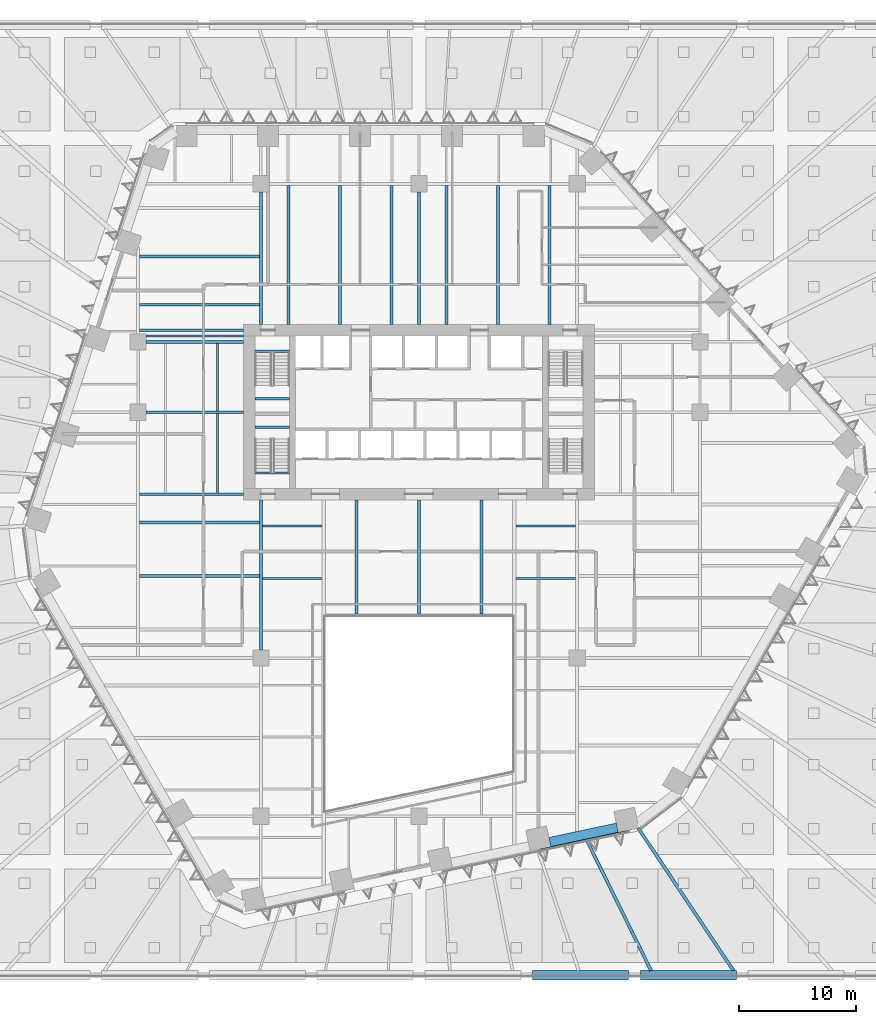
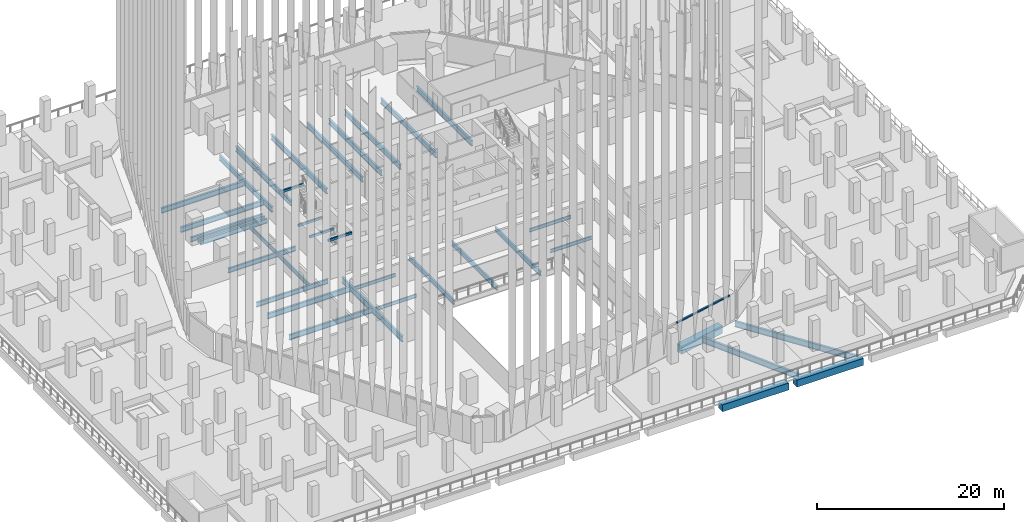
# One storey, part 9 of 51: 36 beams, 1 member, 1 element without a shape of its own.
"""IFC4 building model written with IfcOpenShell, lengths in metres."""

import ifcopenshell
import ifcopenshell.guid

model = None  # the IFC model being written
_history = None  # IfcOwnerHistory: only IFC2X3 demands one
_inside = {}  # id of a spatial element -> (the spatial element, [elements in it])
_under = {}  # id of a project, library or spatial element -> (it, [spatial elements below it])
_declared = {}  # id of a project -> (the project, [libraries it declares])
_typed = {}  # id of a type object -> (the type object, [elements of that type])
_made_of = {}  # id of a material, layer set ... -> (it, [elements and type objects made of it])


def new_model(schema):
    """Start an empty IFC model of exactly this schema.

    Asked for "IFC4X3", IfcOpenShell would pick the latest addendum, in which some entities
    have other attributes; the version numbers below select the first issue.
    IFC2X3 requires an IfcOwnerHistory on every rooted entity: one is made here for all.
    """
    global model, _history
    if schema == "IFC4X3":
        model = ifcopenshell.file(schema_version=(4, 3, 0, 0))
    else:
        model = ifcopenshell.file(schema=schema)
    _inside.clear()
    _under.clear()
    _declared.clear()
    _typed.clear()
    _made_of.clear()
    _history = None
    if model.schema == "IFC2X3":
        org = make("IfcOrganization", Name="unknown")
        user = make(
            "IfcPersonAndOrganization",
            ThePerson=make("IfcPerson", FamilyName="unknown"),
            TheOrganization=org,
        )
        app = make(
            "IfcApplication",
            ApplicationDeveloper=org,
            Version="unknown",
            ApplicationFullName="unknown",
            ApplicationIdentifier="unknown",
        )
        _history = make(
            "IfcOwnerHistory",
            OwningUser=user,
            OwningApplication=app,
            ChangeAction="ADDED",
            CreationDate=0,
        )
    return model


def make(cls, **values):
    """One entity of the class cls with the attributes given. An attribute that is None is left unset."""
    return model.create_entity(
        cls, **{name: value for name, value in values.items() if value is not None}
    )


def rooted(cls, **values):
    """An entity with a GlobalId (a new one), such as an element, a storey or a relation."""
    return make(cls, GlobalId=ifcopenshell.guid.new(), OwnerHistory=_history, **values)


def si_unit(unit_type, name, prefix=None):
    """IfcSIUnit, for example si_unit("LENGTHUNIT", "METRE", prefix="MILLI")."""
    return make("IfcSIUnit", UnitType=unit_type, Prefix=prefix, Name=name)


def assignment(units):
    """IfcUnitAssignment: the units of a project."""
    return None if units is None else make("IfcUnitAssignment", Units=units)


def point(xyz):
    """IfcCartesianPoint."""
    return None if xyz is None else make("IfcCartesianPoint", Coordinates=xyz)


def direction(xyz):
    """IfcDirection."""
    return None if xyz is None else make("IfcDirection", DirectionRatios=xyz)


def frame(location, z_axis=None, x_axis=None):
    """IfcAxis2Placement3D, a coordinate frame: its origin and axes. An axis left out is left unset."""
    return make(
        "IfcAxis2Placement3D",
        Location=point(location),
        Axis=direction(z_axis),
        RefDirection=direction(x_axis),
    )


def frame_2d(location, x_axis=None):
    """IfcAxis2Placement2D, a coordinate frame in the plane: its origin and x axis."""
    return make(
        "IfcAxis2Placement2D", Location=point(location), RefDirection=direction(x_axis)
    )


def origin():
    """The frame at (0, 0, 0) with its axes left unset."""
    return frame((0.0, 0.0, 0.0))


def origin_2d():
    """The frame at (0, 0) in the plane with its x axis left unset."""
    return frame_2d((0.0, 0.0))


def place(relative_to, where):
    """IfcLocalPlacement: puts the frame where relative to a parent placement (None: the world)."""
    return make(
        "IfcLocalPlacement", PlacementRelTo=relative_to, RelativePlacement=where
    )


def context(
    kind, dimensions, precision=None, world=None, true_north=None, identifier=None
):
    """IfcGeometricRepresentationContext, for example the 3D "Model" context."""
    return make(
        "IfcGeometricRepresentationContext",
        ContextIdentifier=identifier,
        ContextType=kind,
        CoordinateSpaceDimension=dimensions,
        Precision=precision,
        WorldCoordinateSystem=world,
        TrueNorth=true_north,
    )


def subcontext(parent, identifier, kind, view, scale=None):
    """IfcGeometricRepresentationSubContext, for example "Body" below "Model"."""
    return make(
        "IfcGeometricRepresentationSubContext",
        ContextIdentifier=identifier,
        ContextType=kind,
        ParentContext=parent,
        TargetScale=scale,
        TargetView=view,
    )


def project(units=None, contexts=None):
    """IfcProject with its units and contexts."""
    return rooted(
        "IfcProject",
        Name="project",
        RepresentationContexts=contexts,
        UnitsInContext=assignment(units),
    )


def spatial(cls, under=None, at=None, **own):
    """A site, building, storey or space (cls), placed at a placement, below another one or the project."""
    s = rooted(cls, ObjectPlacement=at, **own)
    if under is not None:
        _under.setdefault(under.id(), (under, []))[1].append(s)
    return s


def profile(cls, at=None, kind="AREA", **sizes):
    """A parametric profile (cls). Its sizes go by their IFC names, for example OverallWidth=200.0."""
    return make(cls, ProfileType=kind, Position=at, **sizes)


def rectangle(**sizes):
    """IfcRectangleProfileDef."""
    return profile("IfcRectangleProfileDef", **sizes)


def i_section(**sizes):
    """IfcIShapeProfileDef."""
    return profile("IfcIShapeProfileDef", **sizes)


def extrude(swept, where, along, depth):
    """IfcExtrudedAreaSolid: the profile swept, set in the frame where, extruded along a direction by depth."""
    return make(
        "IfcExtrudedAreaSolid",
        SweptArea=swept,
        Position=where,
        ExtrudedDirection=direction(along),
        Depth=depth,
    )


def shape(context_of_items, identifier, shape_type, items):
    """IfcShapeRepresentation: the items that make up one representation, for example the "Body"."""
    return make(
        "IfcShapeRepresentation",
        ContextOfItems=context_of_items,
        RepresentationIdentifier=identifier,
        RepresentationType=shape_type,
        Items=items,
    )


def material(Name=None, Category=None):
    """IfcMaterial."""
    return make("IfcMaterial", Name=Name, Category=Category)


def layer(
    of_material, thickness, ventilated=None, Name=None, Category=None, Priority=None
):
    """IfcMaterialLayer: one layer of a wall or slab, of a material (None: an air gap)."""
    return make(
        "IfcMaterialLayer",
        Material=of_material,
        LayerThickness=thickness,
        IsVentilated=ventilated,
        Name=Name,
        Category=Category,
        Priority=Priority,
    )


def layer_set(layers, Name=None):
    """IfcMaterialLayerSet."""
    return make("IfcMaterialLayerSet", MaterialLayers=layers, LayerSetName=Name)


def material_profile(
    of_material, cross_section, Name=None, Category=None, Priority=None
):
    """IfcMaterialProfile: a cross section and its material."""
    return make(
        "IfcMaterialProfile",
        Name=Name,
        Material=of_material,
        Profile=cross_section,
        Priority=Priority,
        Category=Category,
    )


def profile_set(profiles, Name=None, composite=None):
    """IfcMaterialProfileSet."""
    return make(
        "IfcMaterialProfileSet",
        Name=Name,
        MaterialProfiles=profiles,
        CompositeProfile=composite,
    )


def made_of(thing, what):
    """Note that an element or type object is made of a material, layer set ...; save() writes the relation."""
    if what is not None:
        _made_of.setdefault(what.id(), (what, []))[1].append(thing)
    return thing


def type_object(cls, material=None, **own):
    """A type object (cls), such as IfcWallType, which elements share."""
    return made_of(rooted(cls, **own), material)


def element(
    cls,
    number,
    at=None,
    inside=None,
    cuts=None,
    type_object=None,
    material=None,
    context=None,
    identifier="Body",
    shape_type=None,
    held_by="IfcProductDefinitionShape",
    body=None,
    shapes=None,
    **own,
):
    """One element of the class cls, such as IfcWall. Its Tag is "e" and its number.

    at: its placement. inside: the storey or other place that contains it. cuts: it is an
    opening in that element (IfcRelVoidsElement). A single representation is given by context,
    identifier, shape_type and body (its items); several are given by shapes. held_by: the class
    of the entity that holds the representations. save() writes the other relations.
    """
    e = rooted(cls, Tag="e%d" % number, ObjectPlacement=at, **own)
    if body is not None:
        shapes = [shape(context, identifier, shape_type, body)]
    if shapes is not None:
        e.Representation = make(held_by, Representations=shapes)
    if inside is not None:
        _inside.setdefault(inside.id(), (inside, []))[1].append(e)
    if cuts is not None:
        rooted(
            "IfcRelVoidsElement", RelatingBuildingElement=cuts, RelatedOpeningElement=e
        )
    if type_object is not None:
        _typed.setdefault(type_object.id(), (type_object, []))[1].append(e)
    return made_of(e, material)


def aggregate(whole, parts):
    """IfcRelAggregates: a whole, such as a stair, and the parts it consists of."""
    return rooted("IfcRelAggregates", RelatingObject=whole, RelatedObjects=parts)


def save(model, path):
    """Write the relations noted so far, then the file.

    IfcRelAggregates (storeys below a building ...), IfcRelContainedInSpatialStructure (elements
    in a storey), IfcRelDefinesByType, IfcRelAssociatesMaterial and IfcRelDeclares: one each for
    every whole, place, type object, material and project.
    """
    for whole, parts in _under.values():
        aggregate(whole, parts)
    for where, things in _inside.values():
        rooted(
            "IfcRelContainedInSpatialStructure",
            RelatedElements=things,
            RelatingStructure=where,
        )
    for kind, things in _typed.values():
        rooted("IfcRelDefinesByType", RelatedObjects=things, RelatingType=kind)
    for what, things in _made_of.values():
        rooted("IfcRelAssociatesMaterial", RelatedObjects=things, RelatingMaterial=what)
    for by, libraries in _declared.values():
        rooted("IfcRelDeclares", RelatingContext=by, RelatedDefinitions=libraries)
    model.write(path)


model = new_model("IFC4")

# Units and contexts
model_context = context("Model", 3, precision=1e-05, world=origin(), true_north=direction((0.0, 1.0)))
body_context = subcontext(model_context, "Body", "Model", "MODEL_VIEW")
ifc_project = project(units=[si_unit("LENGTHUNIT", "METRE"), si_unit("AREAUNIT", "SQUARE_METRE"), si_unit("VOLUMEUNIT", "CUBIC_METRE"), si_unit("PLANEANGLEUNIT", "RADIAN"), si_unit("MASSUNIT", "GRAM", prefix="KILO")], contexts=[model_context])

# Site, building, storey
site_placement = place(None, origin())
site = spatial("IfcSite", under=ifc_project, at=site_placement, CompositionType="ELEMENT")
building_placement = place(site_placement, origin())
building = spatial("IfcBuilding", under=site, at=building_placement, Name="Isthmus Gate Tower", CompositionType="ELEMENT")
storey_placement = place(building_placement, frame((0.0, 0.0, 36.0)))
storey = spatial("IfcBuildingStorey", under=building, at=storey_placement, Name="L06", CompositionType="ELEMENT", Elevation=36.0)

# Curtain wall, member
ifc_material_1 = material(Name="Aluminium, pale champagne anodised", Category="aluminium")
ifc_layer = layer(ifc_material_1, 0.199951171875)
ifc_layer_set = layer_set([ifc_layer], Name="CW-1 UNITISED CURTAIN WALL 200 DEEP")
curtain_wall_type = type_object("IfcCurtainWallType", Name="CW-1 UNITISED CURTAIN WALL 200 DEEP", PredefinedType="NOTDEFINED", material=ifc_layer_set)
curtain_wall_placement = place(storey_placement, origin())
curtain_wall = element("IfcCurtainWall", 1, at=curtain_wall_placement, inside=storey, type_object=curtain_wall_type, Name="CW-1 S L06", PredefinedType="NOTDEFINED")
ifc_material_2 = material(Name="Aluminium, pale champagne anodised", Category="aluminium")
ifc_material_profile_1 = material_profile(ifc_material_2, rectangle(XDim=0.199951171875, YDim=0.14990234375, at=origin_2d()), Name="200x150")
ifc_profile_set_1 = profile_set([ifc_material_profile_1], Name="Aluminium, pale champagne anodised")
member_type = type_object("IfcMemberType", Name="CW-1 TRANSOM 200 X 150", PredefinedType="USERDEFINED", material=ifc_profile_set_1)
member_placement = place(storey_placement, frame((10.400146484375, -29.8916015625, 3.574951171875), z_axis=(0.978149085817, 0.207904703929, 0.0), x_axis=(-0.207904703929, 0.978149085817, 0.0)))
member = element("IfcMember", 2, at=member_placement, type_object=member_type, Name="CW-1 transom", ObjectType="TRANSOM", PredefinedType="USERDEFINED", context=body_context, shape_type="SweptSolid", body=[
    extrude(rectangle(XDim=0.199951171875, YDim=0.14990234375, at=origin_2d()), origin(), (0.0, 0.0, 1.0), 7.689208984375),
])
aggregate(curtain_wall, [member])

# Beams
ifc_material_3 = material(Name="Concrete f'c 70 MPa", Category="concrete")
ifc_material_profile_2 = material_profile(ifc_material_3, rectangle(XDim=0.800048828125, YDim=0.89990234375, at=origin_2d()), Name="RC 800X900")
ifc_profile_set_2 = profile_set([ifc_material_profile_2], Name="Concrete f'c 70 MPa")
beam_type_1 = type_object("IfcBeamType", Name="RC EDGE BEAM 800 X 900", PredefinedType="BEAM", material=ifc_profile_set_2)
beam_1_placement = place(storey_placement, frame((27.10009765625, -40.60009765625, -0.60009765625), z_axis=(-1.0, 0.0, 0.0), x_axis=(0.0, -1.0, 0.0)))
element("IfcBeam", 3, at=beam_1_placement, inside=storey, type_object=beam_type_1, Name="str-edgebeam-L06-30", PredefinedType="BEAM", context=body_context, shape_type="SweptSolid", body=[
    extrude(rectangle(XDim=0.800048828125, YDim=0.89990234375, at=origin_2d()), origin(), (0.0, 0.0, 1.0), 8.2001953125),
])
beam_2_placement = place(storey_placement, frame((17.89990234375, -40.60009765625, -0.60009765625), z_axis=(-1.0, 0.0, 0.0), x_axis=(0.0, -1.0, 0.0)))
element("IfcBeam", 4, at=beam_2_placement, inside=storey, type_object=beam_type_1, Name="str-edgebeam-L06-31", PredefinedType="BEAM", context=body_context, shape_type="SweptSolid", body=[
    extrude(rectangle(XDim=0.800048828125, YDim=0.89990234375, at=origin_2d()), origin(), (0.0, 0.0, 1.0), 8.199951171875),
])
ifc_material_4 = material(Name="Concrete f'c 70 MPa", Category="concrete")
ifc_material_profile_3 = material_profile(ifc_material_4, rectangle(XDim=0.800048828125, YDim=1.0, at=origin_2d()), Name="RC 800X1000")
ifc_profile_set_3 = profile_set([ifc_material_profile_3], Name="Concrete f'c 70 MPa")
beam_type_2 = type_object("IfcBeamType", Name="RC SPANDREL 800 X 1000", PredefinedType="SPANDREL", material=ifc_profile_set_3)
beam_3_placement = place(storey_placement, frame((16.937255859375, -27.990966796875, -0.5), z_axis=(-0.97815168619, -0.207892469327, 0.0), x_axis=(0.207892469327, -0.97815168619, 0.0)))
element("IfcBeam", 5, at=beam_3_placement, inside=storey, type_object=beam_type_2, Name="str-spandrel-L06-10", PredefinedType="SPANDREL", context=body_context, shape_type="SweptSolid", body=[
    extrude(rectangle(XDim=0.800048828125, YDim=1.0, at=origin_2d()), origin(), (0.0, 0.0, 1.0), 5.889404296875),
])
ifc_material_5 = material(Name="Concrete f'c 40 MPa", Category="concrete")
ifc_material_profile_4 = material_profile(ifc_material_5, rectangle(XDim=0.199951171875, YDim=0.300048828125, at=origin_2d()), Name="STAIR LANDING BEAM RC 200 X 300")
ifc_profile_set_4 = profile_set([ifc_material_profile_4], Name="Concrete f'c 40 MPa")
beam_type_3 = type_object("IfcBeamType", Name="STAIR LANDING BEAM RC 200 X 300", PredefinedType="BEAM", material=ifc_profile_set_4)
for number, where, z_axis, x_axis, name in (
    (6, (-14.0, 8.64990234375, 1.47509765625), (1.0, 0.0, 0.0), (0.0, 1.0, 0.0), "L06 ST1 landing beam 1"),
    (7, (-14.0, 12.7001953125, 3.35009765625), (1.0, 0.0, 0.0), (0.0, 1.0, 0.0), "L06 ST1 floor-edge seat beam"),
    (8, (-14.0, 6.199951171875, 1.47509765625), (1.0, 0.0, 0.0), (0.0, 1.0, 0.0), "L06 ST7 landing beam 1"),
    (9, (-14.0, 2.2998046875, 3.35009765625), (1.0, 0.0, 0.0), (0.0, 1.0, 0.0), "L06 ST7 floor-edge seat beam"),
):
    element("IfcBeam", number, at=place(storey_placement, frame(where, z_axis=z_axis, x_axis=x_axis)), inside=storey, type_object=beam_type_3, Name=name, PredefinedType="BEAM", context=body_context, shape_type="SweptSolid", body=[
        extrude(rectangle(XDim=0.199951171875, YDim=0.300048828125, at=origin_2d()), origin(), (0.0, 0.0, 1.0), 2.949951171875),
    ])
ifc_material_6 = material(Name="Structural steel ASTM A992 Gr 50", Category="steel")
ifc_material_profile_5 = material_profile(ifc_material_6, i_section(OverallWidth=0.15234375, OverallDepth=0.45068359375, WebThickness=0.0078125, FlangeThickness=0.010986328125, at=origin_2d()), Name="W18X35")
ifc_profile_set_5 = profile_set([ifc_material_profile_5], Name="Structural steel ASTM A992 Gr 50")
beam_type_4 = type_object("IfcBeamType", Name="STEEL FLOOR BEAM W18X35", PredefinedType="JOIST", material=ifc_profile_set_5)
for number, where, z_axis, x_axis, name in (
    (10, (-13.3681640625, -6.697509765625, -0.37548828125), (1.0, 0.0, 0.0), (0.0, 1.0, 0.0), "str-beam-L06-11-01"),
    (11, (-13.3681640625, -2.232421875, -0.37548828125), (1.0, 0.0, 0.0), (0.0, 1.0, 0.0), "str-beam-L06-11-02"),
):
    element("IfcBeam", number, at=place(storey_placement, frame(where, z_axis=z_axis, x_axis=x_axis)), inside=storey, type_object=beam_type_4, Name=name, PredefinedType="JOIST", context=body_context, shape_type="SweptSolid", body=[
        extrude(i_section(OverallWidth=0.15234375, OverallDepth=0.45068359375, WebThickness=0.0078125, FlangeThickness=0.010986328125, at=origin_2d()), origin(), (0.0, 0.0, 1.0), 5.1015625),
    ])
for number, where, z_axis, x_axis, name in (
    (12, (8.263427734375, -6.697509765625, -0.37548828125), (1.0, 0.0, 0.0), (0.0, 1.0, 0.0), "str-beam-L06-23-01"),
    (13, (8.263427734375, -2.232421875, -0.37548828125), (1.0, 0.0, 0.0), (0.0, 1.0, 0.0), "str-beam-L06-23-02"),
):
    element("IfcBeam", number, at=place(storey_placement, frame(where, z_axis=z_axis, x_axis=x_axis)), inside=storey, type_object=beam_type_4, Name=name, PredefinedType="JOIST", context=body_context, shape_type="SweptSolid", body=[
        extrude(i_section(OverallWidth=0.15234375, OverallDepth=0.45068359375, WebThickness=0.0078125, FlangeThickness=0.010986328125, at=origin_2d()), origin(), (0.0, 0.0, 1.0), 5.104736328125),
    ])
ifc_material_7 = material(Name="Structural steel ASTM A992 Gr 50", Category="steel")
ifc_material_profile_6 = material_profile(ifc_material_7, i_section(OverallWidth=0.1650390625, OverallDepth=0.52392578125, WebThickness=0.009521484375, FlangeThickness=0.010986328125, at=origin_2d()), Name="W21X44")
ifc_profile_set_6 = profile_set([ifc_material_profile_6], Name="Structural steel ASTM A992 Gr 50")
beam_type_5 = type_object("IfcBeamType", Name="STEEL FLOOR BEAM W21X44", PredefinedType="JOIST", material=ifc_profile_set_6)
beam_4_placement = place(storey_placement, frame((-17.216552734375, 0.6142578125, -0.411865234375), z_axis=(0.0, 1.0, 0.0), x_axis=(-1.0, 0.0, 0.0)))
element("IfcBeam", 14, at=beam_4_placement, inside=storey, type_object=beam_type_5, Name="str-beam-L06-02-01", PredefinedType="JOIST", context=body_context, shape_type="SweptSolid", body=[
    extrude(i_section(OverallWidth=0.1650390625, OverallDepth=0.52392578125, WebThickness=0.009521484375, FlangeThickness=0.010986328125, at=origin_2d()), origin(), (0.0, 0.0, 1.0), 6.771484375),
])
beam_5_placement = place(storey_placement, frame((-17.223876953125, 7.6142578125, -0.411865234375), z_axis=(0.0, 1.0, 0.0), x_axis=(-1.0, 0.0, 0.0)))
element("IfcBeam", 15, at=beam_5_placement, inside=storey, type_object=beam_type_5, Name="str-beam-L06-03-01", PredefinedType="JOIST", context=body_context, shape_type="SweptSolid", body=[
    extrude(i_section(OverallWidth=0.1650390625, OverallDepth=0.52392578125, WebThickness=0.009521484375, FlangeThickness=0.010986328125, at=origin_2d()), origin(), (0.0, 0.0, 1.0), 5.771484375),
])
ifc_material_8 = material(Name="Structural steel ASTM A992 Gr 50", Category="steel")
ifc_material_profile_7 = material_profile(ifc_material_8, i_section(OverallWidth=0.177734375, OverallDepth=0.60009765625, WebThickness=0.009521484375, FlangeThickness=0.0126953125, at=origin_2d()), Name="W24X55")
ifc_profile_set_7 = profile_set([ifc_material_profile_7], Name="Structural steel ASTM A992 Gr 50")
beam_type_6 = type_object("IfcBeamType", Name="STEEL FLOOR BEAM W24X55", PredefinedType="JOIST", material=ifc_profile_set_7)
beam_6_placement = place(storey_placement, frame((-23.300048828125, 14.0, -0.449951171875), z_axis=(1.0, 0.0, 0.0), x_axis=(0.0, 1.0, 0.0)))
element("IfcBeam", 16, at=beam_6_placement, inside=storey, type_object=beam_type_6, Name="str-beam-L06-04-00", PredefinedType="JOIST", context=body_context, shape_type="SweptSolid", body=[
    extrude(i_section(OverallWidth=0.177734375, OverallDepth=0.60009765625, WebThickness=0.009521484375, FlangeThickness=0.0126953125, at=origin_2d()), origin(), (0.0, 0.0, 1.0), 8.300048828125),
])
ifc_material_9 = material(Name="Structural steel ASTM A992 Gr 50", Category="steel")
ifc_material_profile_8 = material_profile(ifc_material_9, i_section(OverallWidth=0.228515625, OverallDepth=0.603271484375, WebThickness=0.010986328125, FlangeThickness=0.014404296875, at=origin_2d()), Name="W24X68")
ifc_profile_set_8 = profile_set([ifc_material_profile_8], Name="Structural steel ASTM A992 Gr 50")
beam_type_7 = type_object("IfcBeamType", Name="STEEL FLOOR BEAM W24X68", PredefinedType="JOIST", material=ifc_profile_set_8)
for number, where, z_axis, x_axis, name in (
    (17, (-5.333251953125, -9.7333984375, -0.45166015625), (0.0, 1.0, 0.0), (-1.0, 0.0, 0.0), "str-beam-L06-16-00"),
    (18, (0.0, -9.7333984375, -0.45166015625), (0.0, 1.0, 0.0), (-1.0, 0.0, 0.0), "str-beam-L06-16-01"),
    (19, (5.333251953125, -9.7333984375, -0.45166015625), (0.0, 1.0, 0.0), (-1.0, 0.0, 0.0), "str-beam-L06-16-02"),
):
    element("IfcBeam", number, at=place(storey_placement, frame(where, z_axis=z_axis, x_axis=x_axis)), inside=storey, type_object=beam_type_7, Name=name, PredefinedType="JOIST", context=body_context, shape_type="SweptSolid", body=[
        extrude(i_section(OverallWidth=0.228515625, OverallDepth=0.603271484375, WebThickness=0.010986328125, FlangeThickness=0.014404296875, at=origin_2d()), origin(), (0.0, 0.0, 1.0), 9.7333984375),
    ])
ifc_material_10 = material(Name="Structural steel ASTM A992 Gr 50", Category="steel")
ifc_material_profile_9 = material_profile(ifc_material_10, i_section(OverallWidth=0.25390625, OverallDepth=0.679443359375, WebThickness=0.010986328125, FlangeThickness=0.015869140625, at=origin_2d()), Name="W27X84")
ifc_profile_set_9 = profile_set([ifc_material_profile_9], Name="Structural steel ASTM A992 Gr 50")
beam_type_8 = type_object("IfcBeamType", Name="STEEL FLOOR BEAM W27X84", PredefinedType="JOIST", material=ifc_profile_set_9)
for number, where, z_axis, x_axis, name in (
    (20, (-23.8857421875, 16.678466796875, -0.48974609375), (1.0, 0.0, 0.0), (0.0, 1.0, 0.0), "str-beam-L06-06-00"),
    (21, (-23.8857421875, 20.80712890625, -0.48974609375), (1.0, 0.0, 0.0), (0.0, 1.0, 0.0), "str-beam-L06-06-01"),
):
    element("IfcBeam", number, at=place(storey_placement, frame(where, z_axis=z_axis, x_axis=x_axis)), inside=storey, type_object=beam_type_8, Name=name, PredefinedType="JOIST", context=body_context, shape_type="SweptSolid", body=[
        extrude(i_section(OverallWidth=0.25390625, OverallDepth=0.679443359375, WebThickness=0.010986328125, FlangeThickness=0.015869140625, at=origin_2d()), origin(), (0.0, 0.0, 1.0), 10.2587890625),
    ])
for number, where, z_axis, x_axis, name in (
    (22, (-23.86669921875, -6.490478515625, -0.48974609375), (1.0, 0.0, 0.0), (0.0, 1.0, 0.0), "str-beam-L06-07-01"),
    (23, (-23.86669921875, -1.90625, -0.48974609375), (1.0, 0.0, 0.0), (0.0, 1.0, 0.0), "str-beam-L06-07-02"),
):
    element("IfcBeam", number, at=place(storey_placement, frame(where, z_axis=z_axis, x_axis=x_axis)), inside=storey, type_object=beam_type_8, Name=name, PredefinedType="JOIST", context=body_context, shape_type="SweptSolid", body=[
        extrude(i_section(OverallWidth=0.25390625, OverallDepth=0.679443359375, WebThickness=0.010986328125, FlangeThickness=0.015869140625, at=origin_2d()), origin(), (0.0, 0.0, 1.0), 10.23486328125),
    ])
for number, where, z_axis, x_axis, name in (
    (24, (-11.165283203125, 15.0, -0.48974609375), (0.0, 1.0, 0.0), (-1.0, 0.0, 0.0), "str-beam-L06-13-00"),
    (25, (-6.75, 15.0, -0.48974609375), (0.0, 1.0, 0.0), (-1.0, 0.0, 0.0), "str-beam-L06-13-01"),
    (26, (-2.334716796875, 15.0, -0.48974609375), (0.0, 1.0, 0.0), (-1.0, 0.0, 0.0), "str-beam-L06-13-02"),
    (27, (2.334716796875, 15.0, -0.48974609375), (0.0, 1.0, 0.0), (-1.0, 0.0, 0.0), "str-beam-L06-20-00"),
    (28, (6.75, 15.0, -0.48974609375), (0.0, 1.0, 0.0), (-1.0, 0.0, 0.0), "str-beam-L06-20-01"),
    (29, (11.165283203125, 15.0, -0.48974609375), (0.0, 1.0, 0.0), (-1.0, 0.0, 0.0), "str-beam-L06-20-02"),
):
    element("IfcBeam", number, at=place(storey_placement, frame(where, z_axis=z_axis, x_axis=x_axis)), inside=storey, type_object=beam_type_8, Name=name, PredefinedType="JOIST", context=body_context, shape_type="SweptSolid", body=[
        extrude(i_section(OverallWidth=0.25390625, OverallDepth=0.679443359375, WebThickness=0.010986328125, FlangeThickness=0.015869140625, at=origin_2d()), origin(), (0.0, 0.0, 1.0), 11.8681640625),
    ])
ifc_material_11 = material(Name="Structural steel ASTM A992 Gr 50", Category="steel")
ifc_material_profile_10 = material_profile(ifc_material_11, i_section(OverallWidth=0.228515625, OverallDepth=0.6064453125, WebThickness=0.010986328125, FlangeThickness=0.017578125, at=origin_2d()), Name="W24X76")
ifc_profile_set_10 = profile_set([ifc_material_profile_10], Name="Structural steel ASTM A992 Gr 50")
beam_type_9 = type_object("IfcBeamType", Name="STEEL GIRDER W24X76", PredefinedType="BEAM", material=ifc_profile_set_10)
for number, where, z_axis, x_axis, name in (
    (30, (-23.300048828125, 7.5, -0.453125), (1.0, 0.0, 0.0), (0.0, 1.0, 0.0), "str-girder-L06-10"),
    (31, (-23.300048828125, 13.5, -0.453125), (1.0, 0.0, 0.0), (0.0, 1.0, 0.0), "str-girder-L06-13"),
):
    element("IfcBeam", number, at=place(storey_placement, frame(where, z_axis=z_axis, x_axis=x_axis)), inside=storey, type_object=beam_type_9, Name=name, PredefinedType="BEAM", context=body_context, shape_type="SweptSolid", body=[
        extrude(i_section(OverallWidth=0.228515625, OverallDepth=0.6064453125, WebThickness=0.010986328125, FlangeThickness=0.017578125, at=origin_2d()), origin(), (0.0, 0.0, 1.0), 8.300048828125),
    ])
beam_7_placement = place(storey_placement, frame((-15.0, 0.5, -0.453125), z_axis=(-1.0, 0.0, 0.0), x_axis=(0.0, -1.0, 0.0)))
element("IfcBeam", 32, at=beam_7_placement, inside=storey, type_object=beam_type_9, Name="str-girder-L06-38", PredefinedType="BEAM", context=body_context, shape_type="SweptSolid", body=[
    extrude(i_section(OverallWidth=0.228515625, OverallDepth=0.6064453125, WebThickness=0.010986328125, FlangeThickness=0.017578125, at=origin_2d()), origin(), (0.0, 0.0, 1.0), 8.86669921875),
])
beam_8_placement = place(storey_placement, frame((-15.0, 14.5, -0.453125), z_axis=(-1.0, 0.0, 0.0), x_axis=(0.0, -1.0, 0.0)))
element("IfcBeam", 33, at=beam_8_placement, inside=storey, type_object=beam_type_9, Name="str-girder-L06-40", PredefinedType="BEAM", context=body_context, shape_type="SweptSolid", body=[
    extrude(i_section(OverallWidth=0.228515625, OverallDepth=0.6064453125, WebThickness=0.010986328125, FlangeThickness=0.017578125, at=origin_2d()), origin(), (0.0, 0.0, 1.0), 8.8857421875),
])
ifc_material_12 = material(Name="Structural steel ASTM A992 Gr 50", Category="steel")
ifc_material_profile_11 = material_profile(ifc_material_12, i_section(OverallWidth=0.25390625, OverallDepth=0.679443359375, WebThickness=0.010986328125, FlangeThickness=0.015869140625, at=origin_2d()), Name="W27X84")
ifc_profile_set_11 = profile_set([ifc_material_profile_11], Name="Structural steel ASTM A992 Gr 50")
beam_type_10 = type_object("IfcBeamType", Name="STEEL GIRDER W27X84", PredefinedType="BEAM", material=ifc_profile_set_11)
for number, where, z_axis, x_axis, name in (
    (34, (-13.5, 15.0, -0.48974609375), (0.0, 1.0, 0.0), (-1.0, 0.0, 0.0), "str-girder-L06-26"),
    (35, (0.0, 15.0, -0.48974609375), (0.0, 1.0, 0.0), (-1.0, 0.0, 0.0), "str-girder-L06-29"),
):
    element("IfcBeam", number, at=place(storey_placement, frame(where, z_axis=z_axis, x_axis=x_axis)), inside=storey, type_object=beam_type_10, Name=name, PredefinedType="BEAM", context=body_context, shape_type="SweptSolid", body=[
        extrude(i_section(OverallWidth=0.25390625, OverallDepth=0.679443359375, WebThickness=0.010986328125, FlangeThickness=0.015869140625, at=origin_2d()), origin(), (0.0, 0.0, 1.0), 11.300048828125),
    ])
ifc_material_13 = material(Name="Structural steel ASTM A992 Gr 50", Category="steel")
ifc_material_profile_12 = material_profile(ifc_material_13, i_section(OverallWidth=0.263427734375, OverallDepth=0.749267578125, WebThickness=0.0126953125, FlangeThickness=0.015869140625, at=origin_2d()), Name="W30X90")
ifc_profile_set_12 = profile_set([ifc_material_profile_12], Name="Structural steel ASTM A992 Gr 50")
beam_type_11 = type_object("IfcBeamType", Name="STEEL GIRDER W30X90", PredefinedType="BEAM", material=ifc_profile_set_12)
beam_9_placement = place(storey_placement, frame((-13.5, -12.800048828125, -0.524658203125), z_axis=(0.0, 1.0, 0.0), x_axis=(-1.0, 0.0, 0.0)))
element("IfcBeam", 36, at=beam_9_placement, inside=storey, type_object=beam_type_11, Name="str-girder-L06-25", PredefinedType="BEAM", context=body_context, shape_type="SweptSolid", body=[
    extrude(i_section(OverallWidth=0.263427734375, OverallDepth=0.749267578125, WebThickness=0.0126953125, FlangeThickness=0.015869140625, at=origin_2d()), origin(), (0.0, 0.0, 1.0), 12.800048828125),
])
ifc_material_14 = material(Name="Structural steel ASTM A992 Gr 50", Category="steel")
ifc_material_profile_13 = material_profile(ifc_material_14, i_section(OverallWidth=0.2666015625, OverallDepth=0.7587890625, WebThickness=0.014404296875, FlangeThickness=0.01904296875, at=origin_2d()), Name="W30X108")
ifc_profile_set_13 = profile_set([ifc_material_profile_13], Name="Structural steel ASTM A992 Gr 50")
beam_type_12 = type_object("IfcBeamType", Name="STEEL LEDGE BEAM W30X108", PredefinedType="JOIST", material=ifc_profile_set_13)
beam_10_placement = place(storey_placement, frame((18.72265625, -28.020263671875, -0.529296875), z_axis=(0.555569128152, -0.83147035055, 0.0), x_axis=(0.83147035055, 0.555569128152, 0.0)))
element("IfcBeam", 37, at=beam_10_placement, inside=storey, type_object=beam_type_12, Name="str-ringbeam-L06-00-41", PredefinedType="JOIST", context=body_context, shape_type="SweptSolid", body=[
    extrude(i_section(OverallWidth=0.2666015625, OverallDepth=0.7587890625, WebThickness=0.014404296875, FlangeThickness=0.01904296875, at=origin_2d()), origin(), (0.0, 0.0, 1.0), 14.6484375),
])
ifc_material_15 = material(Name="Structural steel ASTM A992 Gr 50", Category="steel")
ifc_material_profile_14 = material_profile(ifc_material_15, i_section(OverallWidth=0.263427734375, OverallDepth=0.749267578125, WebThickness=0.0126953125, FlangeThickness=0.015869140625, at=origin_2d()), Name="W30X90")
ifc_profile_set_14 = profile_set([ifc_material_profile_14], Name="Structural steel ASTM A992 Gr 50")
beam_type_13 = type_object("IfcBeamType", Name="STEEL LEDGE BEAM W30X90", PredefinedType="JOIST", material=ifc_profile_set_14)
beam_11_placement = place(storey_placement, frame((14.283447265625, -28.9638671875, -0.524658203125), z_axis=(0.442288189513, -0.896872988454, 0.0), x_axis=(0.896872988454, 0.442288189513, 0.0)))
element("IfcBeam", 38, at=beam_11_placement, inside=storey, type_object=beam_type_13, Name="str-ringbeam-L06-00-40", PredefinedType="JOIST", context=body_context, shape_type="SweptSolid", body=[
    extrude(i_section(OverallWidth=0.263427734375, OverallDepth=0.749267578125, WebThickness=0.0126953125, FlangeThickness=0.015869140625, at=origin_2d()), origin(), (0.0, 0.0, 1.0), 12.528076171875),
])

save(model, "model.ifc")
